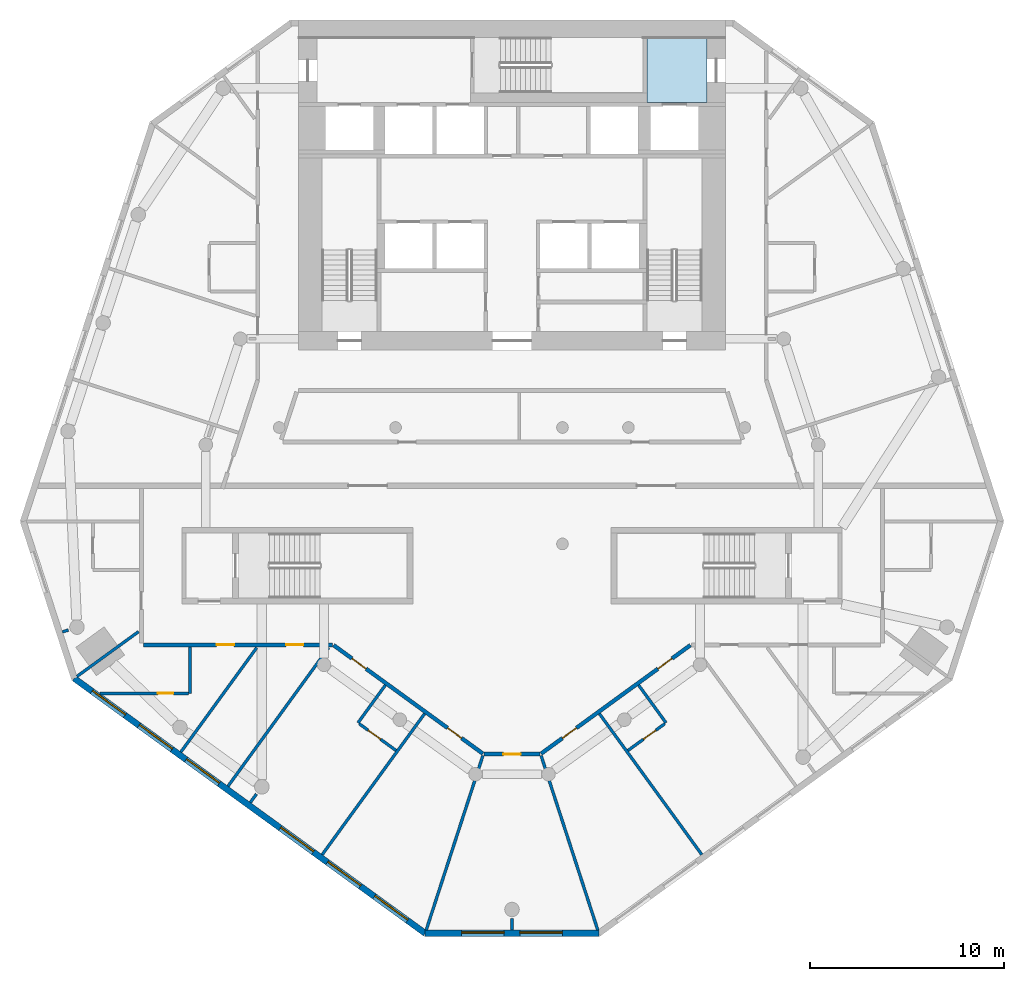
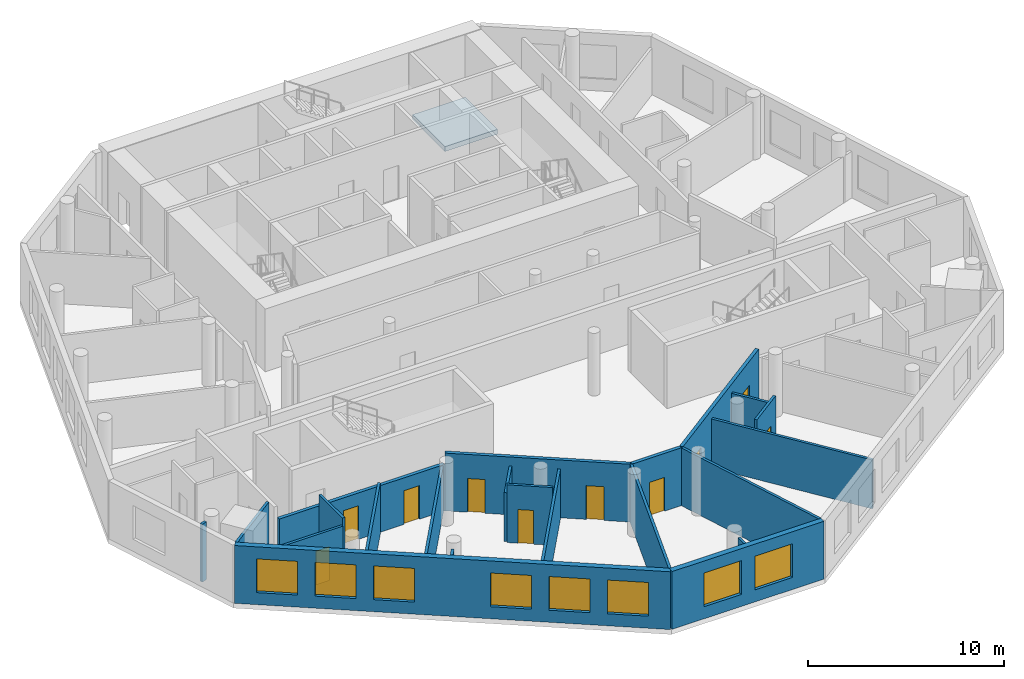
# One storey, part 2 of 9: 22 walls, 10 doors, 8 windows, 1 slab, 18 openings.
"""IFC4 building model written with IfcOpenShell, lengths in metres."""

from ifc_helpers import new_model, si_unit, direction, frame, frame_2d, origin, place, context, subcontext, project, spatial, polyline, rectangle, outline, extrude, material, layer, layer_set, type_object, element, fill, save


model = new_model("IFC4")

# Units and contexts
model_context = context("Model", 3, precision=1e-05, world=origin(), true_north=direction((0.0, 1.0)))
body_context = subcontext(model_context, "Body", "Model", "MODEL_VIEW")
ifc_project = project(units=[si_unit("LENGTHUNIT", "METRE"), si_unit("AREAUNIT", "SQUARE_METRE"), si_unit("VOLUMEUNIT", "CUBIC_METRE"), si_unit("PLANEANGLEUNIT", "RADIAN"), si_unit("MASSUNIT", "GRAM", prefix="KILO")], contexts=[model_context])

# Site, building, storey
site_placement = place(None, origin())
site = spatial("IfcSite", under=ifc_project, at=site_placement, CompositionType="ELEMENT")
building_placement = place(site_placement, origin())
building = spatial("IfcBuilding", under=site, at=building_placement, Name="White Candle Pilgrim Tower", CompositionType="ELEMENT")
storey_placement = place(building_placement, frame((0.0, 0.0, 168.10009765625)))
storey = spatial("IfcBuildingStorey", under=building, at=storey_placement, Name="L38", CompositionType="ELEMENT", Elevation=168.10009765625)

# Slab
ifc_material_1 = material(Name="Concrete C40/50", Category="concrete")
ifc_layer_1 = layer(ifc_material_1, 0.300048828125)
ifc_layer_set_1 = layer_set([ifc_layer_1], Name="Core floor slab 300 mm Concrete C40/50")
slab_type = type_object("IfcSlabType", Name="Core floor slab 300 mm Concrete C40/50", PredefinedType="FLOOR", material=ifc_layer_set_1)
slab_placement = place(storey_placement, frame((0.0, 0.0, -0.300048828125)))
element("IfcSlab", 1, at=slab_placement, inside=storey, type_object=slab_type, Name="CF-L38-06", PredefinedType="FLOOR", context=body_context, shape_type="SweptSolid", body=[
    extrude(outline(polyline([(80.050048828125, 87.050048828125), (80.050048828125, 83.75), (76.949951171875, 83.75), (76.949951171875, 84.25), (76.949951171875, 87.050048828125), (80.050048828125, 87.050048828125)])), origin(), (0.0, 0.0, 1.0), 0.300048828125),
])

# Wall, openings, doors
ifc_material_2 = material(Name="Gypsum board on steel studs", Category="steel")
ifc_layer_2 = layer(ifc_material_2, 0.199951171875)
ifc_layer_set_2 = layer_set([ifc_layer_2], Name="Corridor wall 200 mm EI 45")
wall_type_1 = type_object("IfcWallType", Name="Corridor wall 200 mm EI 45", PredefinedType="PARTITIONING", material=ifc_layer_set_2)
wall_1_placement = place(storey_placement, frame((79.192626953125, 55.781005859375, 0.0), z_axis=(0.0, 0.0, 1.0), x_axis=(-0.809014652106, -0.587788476135, 0.0)))
wall_1 = element("IfcWall", 2, at=wall_1_placement, inside=storey, type_object=wall_type_1, Name="WL-L38-P008", PredefinedType="PARTITIONING", context=body_context, shape_type="SweptSolid", body=[
    extrude(rectangle(XDim=9.509521484375, YDim=0.199951171875, at=frame_2d((4.7548828125, 0.0))), origin(), (0.0, 0.0, 1.0), 3.599853515625),
])
opening_1_placement = place(wall_1_placement, frame((7.2548828125, 0.0, 0.0)))
opening_1 = element("IfcOpeningElement", 3, at=opening_1_placement, cuts=wall_1, Name="Opening T11-111", PredefinedType="OPENING", context=body_context, shape_type="SweptSolid", body=[
    extrude(rectangle(XDim=0.89990234375, YDim=2.10009765625, at=frame_2d((0.449951171875, 1.050048828125))), frame((0.0, 0.10986328125, 0.0), z_axis=(0.0, -1.0, 0.0), x_axis=(1.0, 0.0, 0.0)), (0.0, 0.0, 1.0), 0.219970703125),
])
opening_2_placement = place(wall_1_placement, frame((1.16748046875, 0.0, 0.0)))
opening_2 = element("IfcOpeningElement", 4, at=opening_2_placement, cuts=wall_1, Name="Opening T11-113", PredefinedType="OPENING", context=body_context, shape_type="SweptSolid", body=[
    extrude(rectangle(XDim=0.89990234375, YDim=2.10009765625, at=frame_2d((0.449951171875, 1.050048828125))), frame((0.0, 0.10986328125, 0.0), z_axis=(0.0, -1.0, 0.0), x_axis=(1.0, 0.0, 0.0)), (0.0, 0.0, 1.0), 0.219970703125),
])
ifc_material_3 = material(Name="Steel door leaf", Category="steel")
door_type_1 = type_object("IfcDoorType", Name="Fire door 900 x 2100 EI 30", OperationType="NOTDEFINED", PredefinedType="DOOR", material=ifc_material_3)
door_1_placement = place(opening_1_placement, origin())
door_1 = element("IfcDoor", 5, at=door_1_placement, inside=storey, type_object=door_type_1, Name="Door T11-111", OperationType="SINGLE_SWING_LEFT", OverallHeight=2.10009765625, OverallWidth=0.89990234375, PredefinedType="DOOR", context=body_context, shape_type="SweptSolid", body=[
    extrude(rectangle(XDim=0.89990234375, YDim=2.10009765625, at=frame_2d((0.449951171875, 1.050048828125))), frame((0.0, 0.02490234375, 0.0), z_axis=(0.0, -1.0, 0.0), x_axis=(1.0, 0.0, 0.0)), (0.0, 0.0, 1.0), 0.050048828125),
])
fill(opening_1, door_1)
door_2_placement = place(opening_2_placement, origin())
door_2 = element("IfcDoor", 6, at=door_2_placement, inside=storey, type_object=door_type_1, Name="Door T11-113", OperationType="SINGLE_SWING_LEFT", OverallHeight=2.10009765625, OverallWidth=0.89990234375, PredefinedType="DOOR", context=body_context, shape_type="SweptSolid", body=[
    extrude(rectangle(XDim=0.89990234375, YDim=2.10009765625, at=frame_2d((0.449951171875, 1.050048828125))), frame((0.0, 0.02490234375, 0.0), z_axis=(0.0, -1.0, 0.0), x_axis=(1.0, 0.0, 0.0)), (0.0, 0.0, 1.0), 0.050048828125),
])
fill(opening_2, door_2)

# Wall, opening, door
wall_2_placement = place(storey_placement, frame((71.440673828125, 50.17236328125, 0.0), z_axis=(0.0, 0.0, 1.0), x_axis=(-1.0, 0.0, 0.0)))
wall_2 = element("IfcWall", 7, at=wall_2_placement, inside=storey, type_object=wall_type_1, Name="WL-L38-P009", PredefinedType="PARTITIONING", context=body_context, shape_type="SweptSolid", body=[
    extrude(rectangle(XDim=2.88134765625, YDim=0.199951171875, at=frame_2d((1.440673828125, 0.0))), origin(), (0.0, 0.0, 1.0), 3.599853515625),
])
opening_3_placement = place(wall_2_placement, frame((0.990478515625, 0.0, 0.0)))
opening_3 = element("IfcOpeningElement", 8, at=opening_3_placement, cuts=wall_2, Name="Opening T11-110", PredefinedType="OPENING", context=body_context, shape_type="SweptSolid", body=[
    extrude(rectangle(XDim=0.89990234375, YDim=2.10009765625, at=frame_2d((0.449951171875, 1.050048828125))), frame((0.0, 0.10986328125, 0.0), z_axis=(0.0, -1.0, 0.0), x_axis=(1.0, 0.0, 0.0)), (0.0, 0.0, 1.0), 0.219970703125),
])
door_3_placement = place(opening_3_placement, origin())
door_3 = element("IfcDoor", 9, at=door_3_placement, inside=storey, type_object=door_type_1, Name="Door T11-110", OperationType="SINGLE_SWING_RIGHT", OverallHeight=2.10009765625, OverallWidth=0.89990234375, PredefinedType="DOOR", context=body_context, shape_type="SweptSolid", body=[
    extrude(rectangle(XDim=0.89990234375, YDim=2.10009765625, at=frame_2d((0.449951171875, 1.050048828125))), frame((0.0, 0.02490234375, 0.0), z_axis=(0.0, -1.0, 0.0), x_axis=(1.0, 0.0, 0.0)), (0.0, 0.0, 1.0), 0.050048828125),
])
fill(opening_3, door_3)

# Wall, openings, doors
wall_3_placement = place(storey_placement, frame((68.500732421875, 50.19140625, 0.0), z_axis=(0.0, 0.0, 1.0), x_axis=(-0.809014652106, 0.587788476135, 0.0)))
wall_3 = element("IfcWall", 10, at=wall_3_placement, inside=storey, type_object=wall_type_1, Name="WL-L38-P010", PredefinedType="PARTITIONING", context=body_context, shape_type="SweptSolid", body=[
    extrude(rectangle(XDim=9.509521484375, YDim=0.199951171875, at=frame_2d((4.7548828125, 0.0))), origin(), (0.0, 0.0, 1.0), 3.599853515625),
])
opening_4_placement = place(wall_3_placement, frame((7.44189453125, 0.0, 0.0)))
opening_4 = element("IfcOpeningElement", 11, at=opening_4_placement, cuts=wall_3, Name="Opening T11-108", PredefinedType="OPENING", context=body_context, shape_type="SweptSolid", body=[
    extrude(rectangle(XDim=0.89990234375, YDim=2.10009765625, at=frame_2d((0.449951171875, 1.050048828125))), frame((0.0, 0.10986328125, 0.0), z_axis=(0.0, -1.0, 0.0), x_axis=(1.0, 0.0, 0.0)), (0.0, 0.0, 1.0), 0.219970703125),
])
opening_5_placement = place(wall_3_placement, frame((1.3544921875, 0.0, 0.0)))
opening_5 = element("IfcOpeningElement", 12, at=opening_5_placement, cuts=wall_3, Name="Opening T11-109", PredefinedType="OPENING", context=body_context, shape_type="SweptSolid", body=[
    extrude(rectangle(XDim=0.89990234375, YDim=2.10009765625, at=frame_2d((0.449951171875, 1.050048828125))), frame((0.0, 0.10986328125, 0.0), z_axis=(0.0, -1.0, 0.0), x_axis=(1.0, 0.0, 0.0)), (0.0, 0.0, 1.0), 0.219970703125),
])
door_4_placement = place(opening_4_placement, origin())
door_4 = element("IfcDoor", 13, at=door_4_placement, inside=storey, type_object=door_type_1, Name="Door T11-108", OperationType="SINGLE_SWING_RIGHT", OverallHeight=2.10009765625, OverallWidth=0.89990234375, PredefinedType="DOOR", context=body_context, shape_type="SweptSolid", body=[
    extrude(rectangle(XDim=0.89990234375, YDim=2.10009765625, at=frame_2d((0.449951171875, 1.050048828125))), frame((0.0, 0.02490234375, 0.0), z_axis=(0.0, -1.0, 0.0), x_axis=(1.0, 0.0, 0.0)), (0.0, 0.0, 1.0), 0.050048828125),
])
fill(opening_4, door_4)
door_5_placement = place(opening_5_placement, origin())
door_5 = element("IfcDoor", 14, at=door_5_placement, inside=storey, type_object=door_type_1, Name="Door T11-109", OperationType="SINGLE_SWING_LEFT", OverallHeight=2.10009765625, OverallWidth=0.89990234375, PredefinedType="DOOR", context=body_context, shape_type="SweptSolid", body=[
    extrude(rectangle(XDim=0.89990234375, YDim=2.10009765625, at=frame_2d((0.449951171875, 1.050048828125))), frame((0.0, 0.02490234375, 0.0), z_axis=(0.0, -1.0, 0.0), x_axis=(1.0, 0.0, 0.0)), (0.0, 0.0, 1.0), 0.050048828125),
])
fill(opening_5, door_5)

wall_4_placement = place(storey_placement, frame((60.74853515625, 55.800048828125, 0.0), z_axis=(0.0, 0.0, 1.0), x_axis=(-1.0, 0.0, 0.0)))
wall_4 = element("IfcWall", 15, at=wall_4_placement, inside=storey, type_object=wall_type_1, Name="WL-L38-P011", PredefinedType="PARTITIONING", context=body_context, shape_type="SweptSolid", body=[
    extrude(rectangle(XDim=9.74853515625, YDim=0.199951171875, at=frame_2d((4.874267578125, 0.0))), origin(), (0.0, 0.0, 1.0), 2.89990234375),
])
opening_6_placement = place(wall_4_placement, frame((5.07373046875, 0.0, 0.0)))
opening_6 = element("IfcOpeningElement", 16, at=opening_6_placement, cuts=wall_4, Name="Opening T11-105", PredefinedType="OPENING", context=body_context, shape_type="SweptSolid", body=[
    extrude(rectangle(XDim=0.89990234375, YDim=2.10009765625, at=frame_2d((0.449951171875, 1.050048828125))), frame((0.0, 0.10986328125, 0.0), z_axis=(0.0, -1.0, 0.0), x_axis=(1.0, 0.0, 0.0)), (0.0, 0.0, 1.0), 0.219970703125),
])
opening_7_placement = place(wall_4_placement, frame((1.4951171875, 0.0, 0.0)))
opening_7 = element("IfcOpeningElement", 17, at=opening_7_placement, cuts=wall_4, Name="Opening T11-106", PredefinedType="OPENING", context=body_context, shape_type="SweptSolid", body=[
    extrude(rectangle(XDim=0.89990234375, YDim=2.10009765625, at=frame_2d((0.449951171875, 1.050048828125))), frame((0.0, 0.10986328125, 0.0), z_axis=(0.0, -1.0, 0.0), x_axis=(1.0, 0.0, 0.0)), (0.0, 0.0, 1.0), 0.219970703125),
])
door_6_placement = place(opening_6_placement, origin())
door_6 = element("IfcDoor", 18, at=door_6_placement, inside=storey, type_object=door_type_1, Name="Door T11-105", OperationType="SINGLE_SWING_LEFT", OverallHeight=2.10009765625, OverallWidth=0.89990234375, PredefinedType="DOOR", context=body_context, shape_type="SweptSolid", body=[
    extrude(rectangle(XDim=0.89990234375, YDim=2.10009765625, at=frame_2d((0.449951171875, 1.050048828125))), frame((0.0, 0.02490234375, 0.0), z_axis=(0.0, -1.0, 0.0), x_axis=(1.0, 0.0, 0.0)), (0.0, 0.0, 1.0), 0.050048828125),
])
fill(opening_6, door_6)
door_7_placement = place(opening_7_placement, origin())
door_7 = element("IfcDoor", 19, at=door_7_placement, inside=storey, type_object=door_type_1, Name="Door T11-106", OperationType="SINGLE_SWING_RIGHT", OverallHeight=2.10009765625, OverallWidth=0.89990234375, PredefinedType="DOOR", context=body_context, shape_type="SweptSolid", body=[
    extrude(rectangle(XDim=0.89990234375, YDim=2.10009765625, at=frame_2d((0.449951171875, 1.050048828125))), frame((0.0, 0.02490234375, 0.0), z_axis=(0.0, -1.0, 0.0), x_axis=(1.0, 0.0, 0.0)), (0.0, 0.0, 1.0), 0.050048828125),
])
fill(opening_7, door_7)

# Wall, openings, windows
ifc_material_4 = material(Name="Precast concrete C40/50", Category="concrete")
ifc_layer_3 = layer(ifc_material_4, 0.320068359375)
ifc_layer_set_3 = layer_set([ifc_layer_3], Name="Facade wall EW1 precast concrete C40/50 pier wall with timber-lined reveals")
wall_type_2 = type_object("IfcWallType", Name="Facade wall EW1 precast concrete C40/50 pier wall with timber-lined reveals", PredefinedType="SOLIDWALL", material=ifc_layer_set_3)
wall_5_placement = place(storey_placement, frame((47.440673828125, 54.071044921875, 0.0), z_axis=(0.0, 0.0, 1.0), x_axis=(0.809019373805, -0.587781977274, 0.0)))
wall_5 = element("IfcWall", 20, at=wall_5_placement, inside=storey, type_object=wall_type_2, Name="Facade wall L38 SW", PredefinedType="SOLIDWALL", context=body_context, shape_type="SweptSolid", body=[
    extrude(rectangle(XDim=22.35302734375, YDim=0.320068359375, at=frame_2d((11.176513671875, 0.0))), origin(), (0.0, 0.0, 1.0), 3.599853515625),
])
opening_8_placement = place(wall_5_placement, frame((1.12646484375, 0.0, 0.75)))
opening_8 = element("IfcOpeningElement", 21, at=opening_8_placement, cuts=wall_5, Name="Opening W3", PredefinedType="OPENING", context=body_context, shape_type="SweptSolid", body=[
    extrude(rectangle(XDim=2.10009765625, YDim=2.10009765625, at=frame_2d((1.050048828125, 1.050048828125))), frame((0.0, 0.169921875, 0.0), z_axis=(0.0, -1.0, 0.0), x_axis=(1.0, 0.0, 0.0)), (0.0, 0.0, 1.0), 0.340087890625),
])
opening_9_placement = place(wall_5_placement, frame((4.12646484375, 0.0, 0.75)))
opening_9 = element("IfcOpeningElement", 22, at=opening_9_placement, cuts=wall_5, Name="Opening W3", PredefinedType="OPENING", context=body_context, shape_type="SweptSolid", body=[
    extrude(rectangle(XDim=2.10009765625, YDim=2.10009765625, at=frame_2d((1.050048828125, 1.050048828125))), frame((0.0, 0.169921875, 0.0), z_axis=(0.0, -1.0, 0.0), x_axis=(1.0, 0.0, 0.0)), (0.0, 0.0, 1.0), 0.340087890625),
])
opening_10_placement = place(wall_5_placement, frame((7.12646484375, 0.0, 0.75)))
opening_10 = element("IfcOpeningElement", 23, at=opening_10_placement, cuts=wall_5, Name="Opening W3", PredefinedType="OPENING", context=body_context, shape_type="SweptSolid", body=[
    extrude(rectangle(XDim=2.10009765625, YDim=2.10009765625, at=frame_2d((1.050048828125, 1.050048828125))), frame((0.0, 0.169921875, 0.0), z_axis=(0.0, -1.0, 0.0), x_axis=(1.0, 0.0, 0.0)), (0.0, 0.0, 1.0), 0.340087890625),
])
opening_11_placement = place(wall_5_placement, frame((13.12646484375, 0.0, 0.75)))
opening_11 = element("IfcOpeningElement", 24, at=opening_11_placement, cuts=wall_5, Name="Opening W3", PredefinedType="OPENING", context=body_context, shape_type="SweptSolid", body=[
    extrude(rectangle(XDim=2.10009765625, YDim=2.10009765625, at=frame_2d((1.050048828125, 1.050048828125))), frame((0.0, 0.169921875, 0.0), z_axis=(0.0, -1.0, 0.0), x_axis=(1.0, 0.0, 0.0)), (0.0, 0.0, 1.0), 0.340087890625),
])
opening_12_placement = place(wall_5_placement, frame((16.12646484375, 0.0, 0.75)))
opening_12 = element("IfcOpeningElement", 25, at=opening_12_placement, cuts=wall_5, Name="Opening W3", PredefinedType="OPENING", context=body_context, shape_type="SweptSolid", body=[
    extrude(rectangle(XDim=2.10009765625, YDim=2.10009765625, at=frame_2d((1.050048828125, 1.050048828125))), frame((0.0, 0.169921875, 0.0), z_axis=(0.0, -1.0, 0.0), x_axis=(1.0, 0.0, 0.0)), (0.0, 0.0, 1.0), 0.340087890625),
])
opening_13_placement = place(wall_5_placement, frame((19.12646484375, 0.0, 0.75)))
opening_13 = element("IfcOpeningElement", 26, at=opening_13_placement, cuts=wall_5, Name="Opening W3", PredefinedType="OPENING", context=body_context, shape_type="SweptSolid", body=[
    extrude(rectangle(XDim=2.10009765625, YDim=2.10009765625, at=frame_2d((1.050048828125, 1.050048828125))), frame((0.0, 0.169921875, 0.0), z_axis=(0.0, -1.0, 0.0), x_axis=(1.0, 0.0, 0.0)), (0.0, 0.0, 1.0), 0.340087890625),
])
ifc_material_5 = material(Name="Timber frame with triple glazing", Category="wood")
window_type_1 = type_object("IfcWindowType", Name="Window W3 2100x2100 timber frame triple glazing", PartitioningType="SINGLE_PANEL", PredefinedType="WINDOW", material=ifc_material_5)
window_1_placement = place(opening_8_placement, origin())
window_1 = element("IfcWindow", 27, at=window_1_placement, inside=storey, type_object=window_type_1, Name="Window W3 L38 SW 1", OverallHeight=2.10009765625, OverallWidth=2.10009765625, PartitioningType="SINGLE_PANEL", PredefinedType="WINDOW", context=body_context, shape_type="SweptSolid", body=[
    extrude(rectangle(XDim=2.10009765625, YDim=2.10009765625, at=frame_2d((1.050048828125, 1.050048828125))), frame((0.0, 0.070068359375, 0.0), z_axis=(0.0, -1.0, 0.0), x_axis=(1.0, 0.0, 0.0)), (0.0, 0.0, 1.0), 0.06005859375),
])
fill(opening_8, window_1)
window_2_placement = place(opening_9_placement, origin())
window_2 = element("IfcWindow", 28, at=window_2_placement, inside=storey, type_object=window_type_1, Name="Window W3 L38 SW 2", OverallHeight=2.10009765625, OverallWidth=2.10009765625, PartitioningType="SINGLE_PANEL", PredefinedType="WINDOW", context=body_context, shape_type="SweptSolid", body=[
    extrude(rectangle(XDim=2.10009765625, YDim=2.10009765625, at=frame_2d((1.050048828125, 1.050048828125))), frame((0.0, 0.070068359375, 0.0), z_axis=(0.0, -1.0, 0.0), x_axis=(1.0, 0.0, 0.0)), (0.0, 0.0, 1.0), 0.06005859375),
])
fill(opening_9, window_2)
window_3_placement = place(opening_10_placement, origin())
window_3 = element("IfcWindow", 29, at=window_3_placement, inside=storey, type_object=window_type_1, Name="Window W3 L38 SW 3", OverallHeight=2.10009765625, OverallWidth=2.10009765625, PartitioningType="SINGLE_PANEL", PredefinedType="WINDOW", context=body_context, shape_type="SweptSolid", body=[
    extrude(rectangle(XDim=2.10009765625, YDim=2.10009765625, at=frame_2d((1.050048828125, 1.050048828125))), frame((0.0, 0.070068359375, 0.0), z_axis=(0.0, -1.0, 0.0), x_axis=(1.0, 0.0, 0.0)), (0.0, 0.0, 1.0), 0.06005859375),
])
fill(opening_10, window_3)
window_4_placement = place(opening_11_placement, origin())
window_4 = element("IfcWindow", 30, at=window_4_placement, inside=storey, type_object=window_type_1, Name="Window W3 L38 SW 5", OverallHeight=2.10009765625, OverallWidth=2.10009765625, PartitioningType="SINGLE_PANEL", PredefinedType="WINDOW", context=body_context, shape_type="SweptSolid", body=[
    extrude(rectangle(XDim=2.10009765625, YDim=2.10009765625, at=frame_2d((1.050048828125, 1.050048828125))), frame((0.0, 0.070068359375, 0.0), z_axis=(0.0, -1.0, 0.0), x_axis=(1.0, 0.0, 0.0)), (0.0, 0.0, 1.0), 0.06005859375),
])
fill(opening_11, window_4)
window_5_placement = place(opening_12_placement, origin())
window_5 = element("IfcWindow", 31, at=window_5_placement, inside=storey, type_object=window_type_1, Name="Window W3 L38 SW 6", OverallHeight=2.10009765625, OverallWidth=2.10009765625, PartitioningType="SINGLE_PANEL", PredefinedType="WINDOW", context=body_context, shape_type="SweptSolid", body=[
    extrude(rectangle(XDim=2.10009765625, YDim=2.10009765625, at=frame_2d((1.050048828125, 1.050048828125))), frame((0.0, 0.070068359375, 0.0), z_axis=(0.0, -1.0, 0.0), x_axis=(1.0, 0.0, 0.0)), (0.0, 0.0, 1.0), 0.06005859375),
])
fill(opening_12, window_5)
window_6_placement = place(opening_13_placement, origin())
window_6 = element("IfcWindow", 32, at=window_6_placement, inside=storey, type_object=window_type_1, Name="Window W3 L38 SW 7", OverallHeight=2.10009765625, OverallWidth=2.10009765625, PartitioningType="SINGLE_PANEL", PredefinedType="WINDOW", context=body_context, shape_type="SweptSolid", body=[
    extrude(rectangle(XDim=2.10009765625, YDim=2.10009765625, at=frame_2d((1.050048828125, 1.050048828125))), frame((0.0, 0.070068359375, 0.0), z_axis=(0.0, -1.0, 0.0), x_axis=(1.0, 0.0, 0.0)), (0.0, 0.0, 1.0), 0.06005859375),
])
fill(opening_13, window_6)

wall_6_placement = place(storey_placement, frame((65.524658203125, 40.932373046875, 0.0), z_axis=(0.0, 0.0, 1.0), x_axis=(1.0, 0.0, 0.0)))
wall_6 = element("IfcWall", 33, at=wall_6_placement, inside=storey, type_object=wall_type_2, Name="Facade wall L38 S chamfer", PredefinedType="SOLIDWALL", context=body_context, shape_type="SweptSolid", body=[
    extrude(rectangle(XDim=8.95068359375, YDim=0.320068359375, at=frame_2d((4.475341796875, 0.0))), origin(), (0.0, 0.0, 1.0), 3.599853515625),
])
opening_14_placement = place(wall_6_placement, frame((1.875244140625, 0.0, 0.75)))
opening_14 = element("IfcOpeningElement", 34, at=opening_14_placement, cuts=wall_6, Name="Opening W4", PredefinedType="OPENING", context=body_context, shape_type="SweptSolid", body=[
    extrude(rectangle(XDim=2.199951171875, YDim=2.10009765625, at=frame_2d((1.10009765625, 1.050048828125))), frame((0.0, 0.169921875, 0.0), z_axis=(0.0, -1.0, 0.0), x_axis=(1.0, 0.0, 0.0)), (0.0, 0.0, 1.0), 0.340087890625),
])
opening_15_placement = place(wall_6_placement, frame((4.875244140625, 0.0, 0.75)))
opening_15 = element("IfcOpeningElement", 35, at=opening_15_placement, cuts=wall_6, Name="Opening W4", PredefinedType="OPENING", context=body_context, shape_type="SweptSolid", body=[
    extrude(rectangle(XDim=2.199951171875, YDim=2.10009765625, at=frame_2d((1.10009765625, 1.050048828125))), frame((0.0, 0.169921875, 0.0), z_axis=(0.0, -1.0, 0.0), x_axis=(1.0, 0.0, 0.0)), (0.0, 0.0, 1.0), 0.340087890625),
])
window_type_2 = type_object("IfcWindowType", Name="Window W4 2200x2100 timber frame triple glazing", PartitioningType="SINGLE_PANEL", PredefinedType="WINDOW", material=ifc_material_5)
window_7_placement = place(opening_14_placement, origin())
window_7 = element("IfcWindow", 36, at=window_7_placement, inside=storey, type_object=window_type_2, Name="Window W4 L38 S chamfer 1", OverallHeight=2.10009765625, OverallWidth=2.199951171875, PartitioningType="SINGLE_PANEL", PredefinedType="WINDOW", context=body_context, shape_type="SweptSolid", body=[
    extrude(rectangle(XDim=2.199951171875, YDim=2.10009765625, at=frame_2d((1.10009765625, 1.050048828125))), frame((0.0, 0.070068359375, 0.0), z_axis=(0.0, -1.0, 0.0), x_axis=(1.0, 0.0, 0.0)), (0.0, 0.0, 1.0), 0.06005859375),
])
fill(opening_14, window_7)
window_8_placement = place(opening_15_placement, origin())
window_8 = element("IfcWindow", 37, at=window_8_placement, inside=storey, type_object=window_type_2, Name="Window W4 L38 S chamfer 2", OverallHeight=2.10009765625, OverallWidth=2.199951171875, PartitioningType="SINGLE_PANEL", PredefinedType="WINDOW", context=body_context, shape_type="SweptSolid", body=[
    extrude(rectangle(XDim=2.199951171875, YDim=2.10009765625, at=frame_2d((1.10009765625, 1.050048828125))), frame((0.0, 0.070068359375, 0.0), z_axis=(0.0, -1.0, 0.0), x_axis=(1.0, 0.0, 0.0)), (0.0, 0.0, 1.0), 0.06005859375),
])
fill(opening_15, window_8)

# Walls
ifc_layer_4 = layer(ifc_material_2, 0.14990234375)
ifc_layer_set_4 = layer_set([ifc_layer_4], Name="Partition 150 mm EI 60")
wall_type_3 = type_object("IfcWallType", Name="Partition 150 mm EI 60", PredefinedType="PARTITIONING", material=ifc_layer_set_4)
wall_7_placement = place(storey_placement, frame((47.576904296875, 54.169921875, 0.0), z_axis=(0.0, 0.0, 1.0), x_axis=(0.809026161047, 0.587772635244, 0.0)))
element("IfcWall", 38, at=wall_7_placement, inside=storey, type_object=wall_type_3, Name="WL-L38-P019", PredefinedType="PARTITIONING", context=body_context, shape_type="SweptSolid", body=[
    extrude(rectangle(XDim=3.929443359375, YDim=0.14990234375, at=frame_2d((1.96484375, 0.0))), origin(), (0.0, 0.0, 1.0), 3.599853515625),
])
for number, where, z_axis, x_axis, name in (
    (39, (65.57666015625, 41.09228515625, 0.0), (0.0, 0.0, 1.0), (0.309027729723, 0.951053028102, 0.0), "WL-L38-P020"),
    (40, (74.42333984375, 41.09228515625, 0.0), (0.0, 0.0, 1.0), (-0.309027729723, 0.951053028102, 0.0), "WL-L38-P021"),
):
    element("IfcWall", number, at=place(storey_placement, frame(where, z_axis=z_axis, x_axis=x_axis)), inside=storey, type_object=wall_type_3, Name=name, PredefinedType="PARTITIONING", context=body_context, shape_type="SweptSolid", body=[
        extrude(rectangle(XDim=9.462158203125, YDim=0.14990234375, at=frame_2d((4.73095703125, 0.0))), origin(), (0.0, 0.0, 1.0), 3.599853515625),
    ])
wall_8_placement = place(storey_placement, frame((52.936279296875, 50.276123046875, 0.0), z_axis=(0.0, 0.0, 1.0), x_axis=(0.587783062089, 0.809018585646, 0.0)))
element("IfcWall", 41, at=wall_8_placement, inside=storey, type_object=wall_type_3, Name="WL-L38-P033", PredefinedType="PARTITIONING", context=body_context, shape_type="SweptSolid", body=[
    extrude(rectangle(XDim=6.64990234375, YDim=0.14990234375, at=frame_2d((3.324951171875, 0.0))), origin(), (0.0, 0.0, 1.0), 3.14990234375),
])
wall_9_placement = place(storey_placement, frame((55.36328125, 48.5126953125, 0.0), z_axis=(0.0, 0.0, 1.0), x_axis=(0.587768822725, 0.809028930899, 0.0)))
element("IfcWall", 42, at=wall_9_placement, inside=storey, type_object=wall_type_3, Name="WL-L38-P034", PredefinedType="PARTITIONING", context=body_context, shape_type="SweptSolid", body=[
    extrude(rectangle(XDim=8.82958984375, YDim=0.14990234375, at=frame_2d((4.414794921875, 0.0))), origin(), (0.0, 0.0, 1.0), 2.89990234375),
])
wall_10_placement = place(storey_placement, frame((60.21728515625, 44.986083984375, 0.0), z_axis=(0.0, 0.0, 1.0), x_axis=(0.587790127827, 0.809013452069, 0.0)))
element("IfcWall", 43, at=wall_10_placement, inside=storey, type_object=wall_type_3, Name="WL-L38-P035", PredefinedType="PARTITIONING", context=body_context, shape_type="SweptSolid", body=[
    extrude(rectangle(XDim=8.97998046875, YDim=0.14990234375, at=frame_2d((4.489990234375, 0.0))), origin(), (0.0, 0.0, 1.0), 3.0498046875),
])
wall_11_placement = place(storey_placement, frame((53.39990234375, 55.699951171875, 0.0), z_axis=(0.0, 0.0, 1.0), x_axis=(0.0, -1.0, 0.0)))
element("IfcWall", 44, at=wall_11_placement, inside=storey, type_object=wall_type_3, Name="WL-L38-P036", PredefinedType="PARTITIONING", context=body_context, shape_type="SweptSolid", body=[
    extrude(rectangle(XDim=2.39990234375, YDim=0.14990234375, at=frame_2d((1.199951171875, 0.0))), origin(), (0.0, 0.0, 1.0), 3.599853515625),
])

# Wall, opening, door
wall_12_placement = place(storey_placement, frame((48.774169921875, 53.300048828125, 0.0), z_axis=(0.0, 0.0, 1.0), x_axis=(1.0, 0.0, 0.0)))
wall_12 = element("IfcWall", 45, at=wall_12_placement, inside=storey, type_object=wall_type_3, Name="WL-L38-P037", PredefinedType="PARTITIONING", context=body_context, shape_type="SweptSolid", body=[
    extrude(rectangle(XDim=4.55078125, YDim=0.14990234375, at=frame_2d((2.275390625, 0.0))), origin(), (0.0, 0.0, 1.0), 3.14990234375),
])
opening_16_placement = place(wall_12_placement, frame((2.975830078125, 0.0, 0.0)))
opening_16 = element("IfcOpeningElement", 46, at=opening_16_placement, cuts=wall_12, Name="Opening T11-104", PredefinedType="OPENING", context=body_context, shape_type="SweptSolid", body=[
    extrude(rectangle(XDim=0.800048828125, YDim=2.10009765625, at=frame_2d((0.39990234375, 1.050048828125))), frame((0.0, 0.0849609375, 0.0), z_axis=(0.0, -1.0, 0.0), x_axis=(1.0, 0.0, 0.0)), (0.0, 0.0, 1.0), 0.169921875),
])
door_type_2 = type_object("IfcDoorType", Name="Fire door 800 x 2100 EI 30", OperationType="NOTDEFINED", PredefinedType="DOOR", material=ifc_material_3)
door_8_placement = place(opening_16_placement, frame((0.800048828125, 0.0, 0.0), z_axis=(0.0, 0.0, 1.0), x_axis=(-1.0, 0.0, 0.0)))
door_8 = element("IfcDoor", 47, at=door_8_placement, inside=storey, type_object=door_type_2, Name="Door T11-104", OperationType="SINGLE_SWING_LEFT", OverallHeight=2.10009765625, OverallWidth=0.800048828125, PredefinedType="DOOR", context=body_context, shape_type="SweptSolid", body=[
    extrude(rectangle(XDim=0.800048828125, YDim=2.10009765625, at=frame_2d((0.39990234375, 1.050048828125))), frame((0.0, 0.02490234375, 0.0), z_axis=(0.0, -1.0, 0.0), x_axis=(1.0, 0.0, 0.0)), (0.0, 0.0, 1.0), 0.050048828125),
])
fill(opening_16, door_8)

# Wall
wall_13_placement = place(storey_placement, frame((63.47314453125, 53.720458984375, 0.0), z_axis=(0.0, 0.0, 1.0), x_axis=(-0.587772420479, -0.809026317077, 0.0)))
element("IfcWall", 48, at=wall_13_placement, inside=storey, type_object=wall_type_3, Name="WL-L38-P038", PredefinedType="PARTITIONING", context=body_context, shape_type="SweptSolid", body=[
    extrude(rectangle(XDim=2.39990234375, YDim=0.14990234375, at=frame_2d((1.199951171875, 0.0))), origin(), (0.0, 0.0, 1.0), 3.0498046875),
])

# Wall, opening, door
wall_14_placement = place(storey_placement, frame((64.0244140625, 50.353515625, 0.0), z_axis=(0.0, 0.0, 1.0), x_axis=(-0.809032466197, 0.587763956567, 0.0)))
wall_14 = element("IfcWall", 49, at=wall_14_placement, inside=storey, type_object=wall_type_3, Name="WL-L38-P039", PredefinedType="PARTITIONING", context=body_context, shape_type="SweptSolid", body=[
    extrude(rectangle(XDim=2.35009765625, YDim=0.14990234375, at=frame_2d((1.175048828125, 0.0))), origin(), (0.0, 0.0, 1.0), 3.599853515625),
])
opening_17_placement = place(wall_14_placement, frame((0.97509765625, 0.0, 0.0)))
opening_17 = element("IfcOpeningElement", 50, at=opening_17_placement, cuts=wall_14, Name="Opening T11-107", PredefinedType="OPENING", context=body_context, shape_type="SweptSolid", body=[
    extrude(rectangle(XDim=0.800048828125, YDim=2.10009765625, at=frame_2d((0.39990234375, 1.050048828125))), frame((0.0, 0.0849609375, 0.0), z_axis=(0.0, -1.0, 0.0), x_axis=(1.0, 0.0, 0.0)), (0.0, 0.0, 1.0), 0.169921875),
])
door_9_placement = place(opening_17_placement, origin())
door_9 = element("IfcDoor", 51, at=door_9_placement, inside=storey, type_object=door_type_2, Name="Door T11-107", OperationType="SINGLE_SWING_LEFT", OverallHeight=2.10009765625, OverallWidth=0.800048828125, PredefinedType="DOOR", context=body_context, shape_type="SweptSolid", body=[
    extrude(rectangle(XDim=0.800048828125, YDim=2.10009765625, at=frame_2d((0.39990234375, 1.050048828125))), frame((0.0, 0.02490234375, 0.0), z_axis=(0.0, -1.0, 0.0), x_axis=(1.0, 0.0, 0.0)), (0.0, 0.0, 1.0), 0.050048828125),
])
fill(opening_17, door_9)

# Walls
wall_15_placement = place(storey_placement, frame((79.78271484375, 44.986083984375, 0.0), z_axis=(0.0, 0.0, 1.0), x_axis=(-0.587790127827, 0.809013452069, 0.0)))
element("IfcWall", 52, at=wall_15_placement, inside=storey, type_object=wall_type_3, Name="WL-L38-P040", PredefinedType="PARTITIONING", context=body_context, shape_type="SweptSolid", body=[
    extrude(rectangle(XDim=8.97998046875, YDim=0.14990234375, at=frame_2d((4.489990234375, 0.0))), origin(), (0.0, 0.0, 1.0), 3.0498046875),
])
wall_16_placement = place(storey_placement, frame((76.52685546875, 53.720458984375, 0.0), z_axis=(0.0, 0.0, 1.0), x_axis=(0.587772420479, -0.809026317077, 0.0)))
element("IfcWall", 53, at=wall_16_placement, inside=storey, type_object=wall_type_3, Name="WL-L38-P043", PredefinedType="PARTITIONING", context=body_context, shape_type="SweptSolid", body=[
    extrude(rectangle(XDim=2.39990234375, YDim=0.14990234375, at=frame_2d((1.199951171875, 0.0))), origin(), (0.0, 0.0, 1.0), 3.0498046875),
])

# Wall, opening, door
wall_17_placement = place(storey_placement, frame((75.9755859375, 50.353515625, 0.0), z_axis=(0.0, 0.0, 1.0), x_axis=(0.809032466197, 0.587763956567, 0.0)))
wall_17 = element("IfcWall", 54, at=wall_17_placement, inside=storey, type_object=wall_type_3, Name="WL-L38-P044", PredefinedType="PARTITIONING", context=body_context, shape_type="SweptSolid", body=[
    extrude(rectangle(XDim=2.35009765625, YDim=0.14990234375, at=frame_2d((1.175048828125, 0.0))), origin(), (0.0, 0.0, 1.0), 3.599853515625),
])
opening_18_placement = place(wall_17_placement, frame((0.97509765625, 0.0, 0.0)))
opening_18 = element("IfcOpeningElement", 55, at=opening_18_placement, cuts=wall_17, Name="Opening T11-112", PredefinedType="OPENING", context=body_context, shape_type="SweptSolid", body=[
    extrude(rectangle(XDim=0.800048828125, YDim=2.10009765625, at=frame_2d((0.39990234375, 1.050048828125))), frame((0.0, 0.0849609375, 0.0), z_axis=(0.0, -1.0, 0.0), x_axis=(1.0, 0.0, 0.0)), (0.0, 0.0, 1.0), 0.169921875),
])
door_10_placement = place(opening_18_placement, frame((0.800048828125, 0.0, 0.0), z_axis=(0.0, 0.0, 1.0), x_axis=(-1.0, 0.0, 0.0)))
door_10 = element("IfcDoor", 56, at=door_10_placement, inside=storey, type_object=door_type_2, Name="Door T11-112", OperationType="SINGLE_SWING_LEFT", OverallHeight=2.10009765625, OverallWidth=0.800048828125, PredefinedType="DOOR", context=body_context, shape_type="SweptSolid", body=[
    extrude(rectangle(XDim=0.800048828125, YDim=2.10009765625, at=frame_2d((0.39990234375, 1.050048828125))), frame((0.0, 0.02490234375, 0.0), z_axis=(0.0, -1.0, 0.0), x_axis=(1.0, 0.0, 0.0)), (0.0, 0.0, 1.0), 0.050048828125),
])
fill(opening_18, door_10)

# Walls
wall_18_placement = place(storey_placement, frame((47.138916015625, 56.56298828125, 0.0), z_axis=(0.0, 0.0, 1.0), x_axis=(-0.95100073077, -0.309188631864, 0.0)))
element("IfcWall", 57, at=wall_18_placement, inside=storey, type_object=wall_type_3, Name="WL-L38-P056", PredefinedType="PARTITIONING", context=body_context, shape_type="SweptSolid", body=[
    extrude(rectangle(XDim=0.322998046875, YDim=0.14990234375, at=frame_2d((0.16162109375, 0.0))), origin(), (0.0, 0.0, 1.0), 3.599853515625),
])
wall_19_placement = place(storey_placement, frame((56.8291015625, 48.109375, 0.0), z_axis=(0.0, 0.0, 1.0), x_axis=(-0.587819145055, -0.808992368757, 0.0)))
element("IfcWall", 58, at=wall_19_placement, inside=storey, type_object=wall_type_3, Name="WL-L38-P057", PredefinedType="PARTITIONING", context=body_context, shape_type="SweptSolid", body=[
    extrude(rectangle(XDim=0.535400390625, YDim=0.14990234375, at=frame_2d((0.267578125, 0.0))), origin(), (0.0, 0.0, 1.0), 3.599853515625),
])
wall_20_placement = place(storey_placement, frame((70.002197265625, 41.695068359375, 0.0), z_axis=(0.0, 0.0, 1.0), x_axis=(0.0, -1.0, 0.0)))
element("IfcWall", 59, at=wall_20_placement, inside=storey, type_object=wall_type_3, Name="WL-L38-P058", PredefinedType="PARTITIONING", context=body_context, shape_type="SweptSolid", body=[
    extrude(rectangle(XDim=0.602783203125, YDim=0.14990234375, at=frame_2d((0.30126953125, 0.0))), origin(), (0.0, 0.0, 1.0), 3.599853515625),
])

save(model, "model.ifc")
